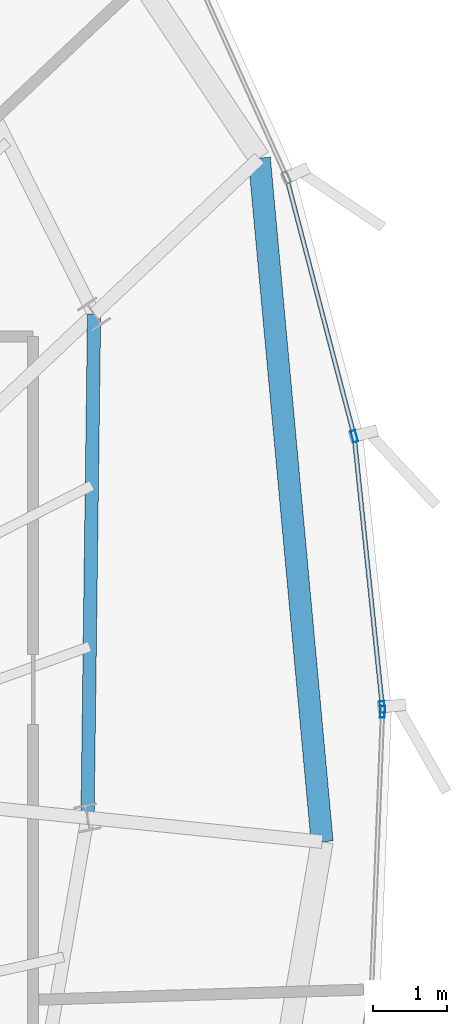
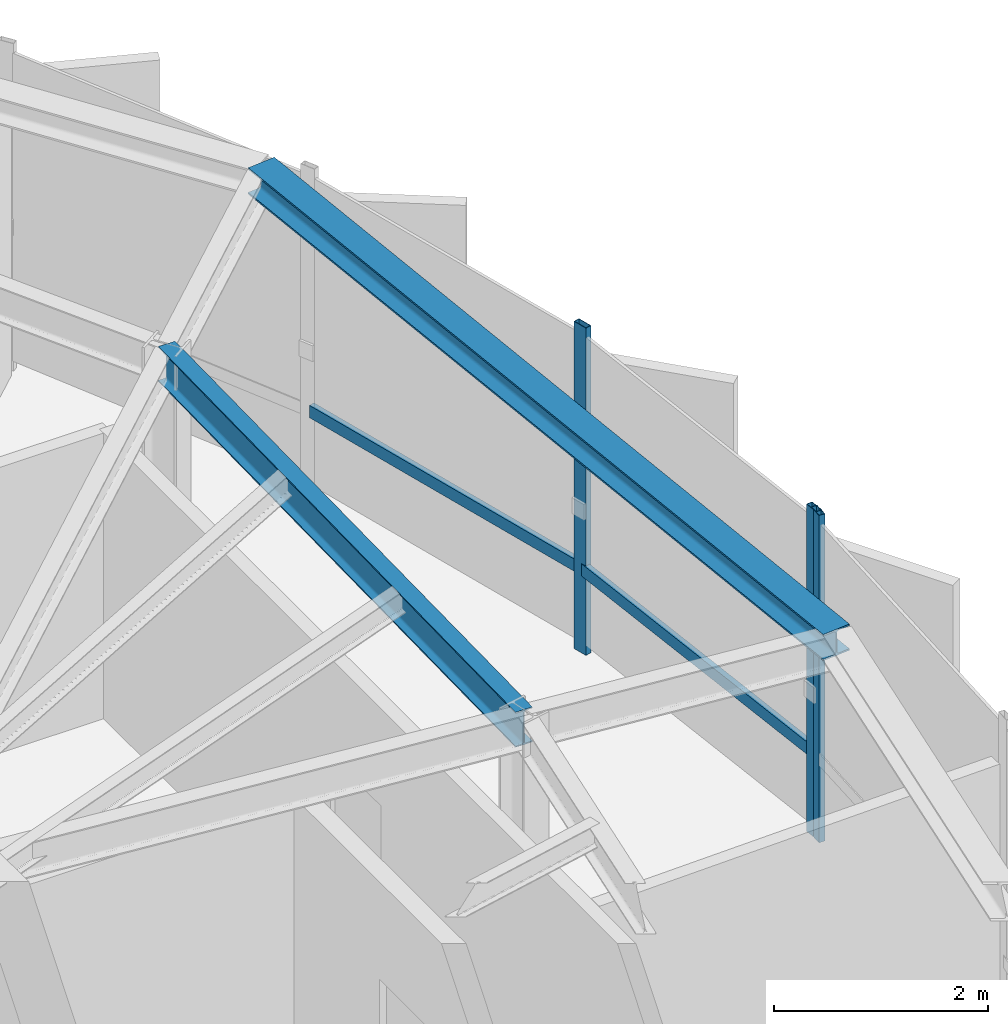
# One storey, part 13 of 25: 5 members, 2 beams, 2 elements without a shape of their own.
"""IFC4 building model written with IfcOpenShell, lengths in metres."""

import ifcopenshell
import ifcopenshell.guid

model = None  # the IFC model being written
_history = None  # IfcOwnerHistory: only IFC2X3 demands one
_inside = {}  # id of a spatial element -> (the spatial element, [elements in it])
_under = {}  # id of a project, library or spatial element -> (it, [spatial elements below it])
_declared = {}  # id of a project -> (the project, [libraries it declares])
_typed = {}  # id of a type object -> (the type object, [elements of that type])
_made_of = {}  # id of a material, layer set ... -> (it, [elements and type objects made of it])


def new_model(schema):
    """Start an empty IFC model of exactly this schema.

    Asked for "IFC4X3", IfcOpenShell would pick the latest addendum, in which some entities
    have other attributes; the version numbers below select the first issue.
    IFC2X3 requires an IfcOwnerHistory on every rooted entity: one is made here for all.
    """
    global model, _history
    if schema == "IFC4X3":
        model = ifcopenshell.file(schema_version=(4, 3, 0, 0))
    else:
        model = ifcopenshell.file(schema=schema)
    _inside.clear()
    _under.clear()
    _declared.clear()
    _typed.clear()
    _made_of.clear()
    _history = None
    if model.schema == "IFC2X3":
        org = make("IfcOrganization", Name="unknown")
        user = make(
            "IfcPersonAndOrganization",
            ThePerson=make("IfcPerson", FamilyName="unknown"),
            TheOrganization=org,
        )
        app = make(
            "IfcApplication",
            ApplicationDeveloper=org,
            Version="unknown",
            ApplicationFullName="unknown",
            ApplicationIdentifier="unknown",
        )
        _history = make(
            "IfcOwnerHistory",
            OwningUser=user,
            OwningApplication=app,
            ChangeAction="ADDED",
            CreationDate=0,
        )
    return model


def make(cls, **values):
    """One entity of the class cls with the attributes given. An attribute that is None is left unset."""
    return model.create_entity(
        cls, **{name: value for name, value in values.items() if value is not None}
    )


def rooted(cls, **values):
    """An entity with a GlobalId (a new one), such as an element, a storey or a relation."""
    return make(cls, GlobalId=ifcopenshell.guid.new(), OwnerHistory=_history, **values)


def si_unit(unit_type, name, prefix=None):
    """IfcSIUnit, for example si_unit("LENGTHUNIT", "METRE", prefix="MILLI")."""
    return make("IfcSIUnit", UnitType=unit_type, Prefix=prefix, Name=name)


def assignment(units):
    """IfcUnitAssignment: the units of a project."""
    return None if units is None else make("IfcUnitAssignment", Units=units)


def point(xyz):
    """IfcCartesianPoint."""
    return None if xyz is None else make("IfcCartesianPoint", Coordinates=xyz)


def direction(xyz):
    """IfcDirection."""
    return None if xyz is None else make("IfcDirection", DirectionRatios=xyz)


def frame(location, z_axis=None, x_axis=None):
    """IfcAxis2Placement3D, a coordinate frame: its origin and axes. An axis left out is left unset."""
    return make(
        "IfcAxis2Placement3D",
        Location=point(location),
        Axis=direction(z_axis),
        RefDirection=direction(x_axis),
    )


def frame_2d(location, x_axis=None):
    """IfcAxis2Placement2D, a coordinate frame in the plane: its origin and x axis."""
    return make(
        "IfcAxis2Placement2D", Location=point(location), RefDirection=direction(x_axis)
    )


def origin():
    """The frame at (0, 0, 0) with its axes left unset."""
    return frame((0.0, 0.0, 0.0))


def origin_2d():
    """The frame at (0, 0) in the plane with its x axis left unset."""
    return frame_2d((0.0, 0.0))


def place(relative_to, where):
    """IfcLocalPlacement: puts the frame where relative to a parent placement (None: the world)."""
    return make(
        "IfcLocalPlacement", PlacementRelTo=relative_to, RelativePlacement=where
    )


def context(
    kind, dimensions, precision=None, world=None, true_north=None, identifier=None
):
    """IfcGeometricRepresentationContext, for example the 3D "Model" context."""
    return make(
        "IfcGeometricRepresentationContext",
        ContextIdentifier=identifier,
        ContextType=kind,
        CoordinateSpaceDimension=dimensions,
        Precision=precision,
        WorldCoordinateSystem=world,
        TrueNorth=true_north,
    )


def subcontext(parent, identifier, kind, view, scale=None):
    """IfcGeometricRepresentationSubContext, for example "Body" below "Model"."""
    return make(
        "IfcGeometricRepresentationSubContext",
        ContextIdentifier=identifier,
        ContextType=kind,
        ParentContext=parent,
        TargetScale=scale,
        TargetView=view,
    )


def project(units=None, contexts=None):
    """IfcProject with its units and contexts."""
    return rooted(
        "IfcProject",
        Name="project",
        RepresentationContexts=contexts,
        UnitsInContext=assignment(units),
    )


def spatial(cls, under=None, at=None, **own):
    """A site, building, storey or space (cls), placed at a placement, below another one or the project."""
    s = rooted(cls, ObjectPlacement=at, **own)
    if under is not None:
        _under.setdefault(under.id(), (under, []))[1].append(s)
    return s


def profile(cls, at=None, kind="AREA", **sizes):
    """A parametric profile (cls). Its sizes go by their IFC names, for example OverallWidth=200.0."""
    return make(cls, ProfileType=kind, Position=at, **sizes)


def hollow_rectangle(**sizes):
    """IfcRectangleHollowProfileDef."""
    return profile("IfcRectangleHollowProfileDef", **sizes)


def i_section(**sizes):
    """IfcIShapeProfileDef."""
    return profile("IfcIShapeProfileDef", **sizes)


def extrude(swept, where, along, depth):
    """IfcExtrudedAreaSolid: the profile swept, set in the frame where, extruded along a direction by depth."""
    return make(
        "IfcExtrudedAreaSolid",
        SweptArea=swept,
        Position=where,
        ExtrudedDirection=direction(along),
        Depth=depth,
    )


def shape(context_of_items, identifier, shape_type, items):
    """IfcShapeRepresentation: the items that make up one representation, for example the "Body"."""
    return make(
        "IfcShapeRepresentation",
        ContextOfItems=context_of_items,
        RepresentationIdentifier=identifier,
        RepresentationType=shape_type,
        Items=items,
    )


def source(mapping_origin, context_of_items, identifier, shape_type, items):
    """IfcRepresentationMap: a shape defined once, which mapped items show again and again."""
    return make(
        "IfcRepresentationMap",
        MappingOrigin=mapping_origin,
        MappedRepresentation=shape(context_of_items, identifier, shape_type, items),
    )


def transform(
    local_origin,
    x_axis=None,
    y_axis=None,
    z_axis=None,
    scale=None,
    scale2=None,
    scale3=None,
    uniform=True,
):
    """IfcCartesianTransformationOperator3D, or its non-uniform kind. x_axis, y_axis, z_axis: its Axis1, 2, 3."""
    if uniform:
        return make(
            "IfcCartesianTransformationOperator3D",
            Axis1=direction(x_axis),
            Axis2=direction(y_axis),
            LocalOrigin=point(local_origin),
            Scale=scale,
            Axis3=direction(z_axis),
        )
    return make(
        "IfcCartesianTransformationOperator3DnonUniform",
        Axis1=direction(x_axis),
        Axis2=direction(y_axis),
        LocalOrigin=point(local_origin),
        Scale=scale,
        Axis3=direction(z_axis),
        Scale2=scale2,
        Scale3=scale3,
    )


def mapped(mapping_source, mapping_target):
    """IfcMappedItem: shows the shape of a source again, moved by a transform."""
    return make(
        "IfcMappedItem", MappingSource=mapping_source, MappingTarget=mapping_target
    )


def material(Name=None, Category=None):
    """IfcMaterial."""
    return make("IfcMaterial", Name=Name, Category=Category)


def layer(
    of_material, thickness, ventilated=None, Name=None, Category=None, Priority=None
):
    """IfcMaterialLayer: one layer of a wall or slab, of a material (None: an air gap)."""
    return make(
        "IfcMaterialLayer",
        Material=of_material,
        LayerThickness=thickness,
        IsVentilated=ventilated,
        Name=Name,
        Category=Category,
        Priority=Priority,
    )


def layer_set(layers, Name=None):
    """IfcMaterialLayerSet."""
    return make("IfcMaterialLayerSet", MaterialLayers=layers, LayerSetName=Name)


def material_profile(
    of_material, cross_section, Name=None, Category=None, Priority=None
):
    """IfcMaterialProfile: a cross section and its material."""
    return make(
        "IfcMaterialProfile",
        Name=Name,
        Material=of_material,
        Profile=cross_section,
        Priority=Priority,
        Category=Category,
    )


def profile_set(profiles, Name=None, composite=None):
    """IfcMaterialProfileSet."""
    return make(
        "IfcMaterialProfileSet",
        Name=Name,
        MaterialProfiles=profiles,
        CompositeProfile=composite,
    )


def made_of(thing, what):
    """Note that an element or type object is made of a material, layer set ...; save() writes the relation."""
    if what is not None:
        _made_of.setdefault(what.id(), (what, []))[1].append(thing)
    return thing


def type_object(cls, material=None, **own):
    """A type object (cls), such as IfcWallType, which elements share."""
    return made_of(rooted(cls, **own), material)


def element(
    cls,
    number,
    at=None,
    inside=None,
    cuts=None,
    type_object=None,
    material=None,
    context=None,
    identifier="Body",
    shape_type=None,
    held_by="IfcProductDefinitionShape",
    body=None,
    shapes=None,
    **own,
):
    """One element of the class cls, such as IfcWall. Its Tag is "e" and its number.

    at: its placement. inside: the storey or other place that contains it. cuts: it is an
    opening in that element (IfcRelVoidsElement). A single representation is given by context,
    identifier, shape_type and body (its items); several are given by shapes. held_by: the class
    of the entity that holds the representations. save() writes the other relations.
    """
    e = rooted(cls, Tag="e%d" % number, ObjectPlacement=at, **own)
    if body is not None:
        shapes = [shape(context, identifier, shape_type, body)]
    if shapes is not None:
        e.Representation = make(held_by, Representations=shapes)
    if inside is not None:
        _inside.setdefault(inside.id(), (inside, []))[1].append(e)
    if cuts is not None:
        rooted(
            "IfcRelVoidsElement", RelatingBuildingElement=cuts, RelatedOpeningElement=e
        )
    if type_object is not None:
        _typed.setdefault(type_object.id(), (type_object, []))[1].append(e)
    return made_of(e, material)


def aggregate(whole, parts):
    """IfcRelAggregates: a whole, such as a stair, and the parts it consists of."""
    return rooted("IfcRelAggregates", RelatingObject=whole, RelatedObjects=parts)


def save(model, path):
    """Write the relations noted so far, then the file.

    IfcRelAggregates (storeys below a building ...), IfcRelContainedInSpatialStructure (elements
    in a storey), IfcRelDefinesByType, IfcRelAssociatesMaterial and IfcRelDeclares: one each for
    every whole, place, type object, material and project.
    """
    for whole, parts in _under.values():
        aggregate(whole, parts)
    for where, things in _inside.values():
        rooted(
            "IfcRelContainedInSpatialStructure",
            RelatedElements=things,
            RelatingStructure=where,
        )
    for kind, things in _typed.values():
        rooted("IfcRelDefinesByType", RelatedObjects=things, RelatingType=kind)
    for what, things in _made_of.values():
        rooted("IfcRelAssociatesMaterial", RelatedObjects=things, RelatingMaterial=what)
    for by, libraries in _declared.values():
        rooted("IfcRelDeclares", RelatingContext=by, RelatedDefinitions=libraries)
    model.write(path)


model = new_model("IFC4")

# Units and contexts
model_context = context("Model", 3, precision=1e-05, world=origin(), true_north=direction((0.0, 1.0)))
body_context = subcontext(model_context, "Body", "Model", "MODEL_VIEW")
ifc_project = project(units=[si_unit("LENGTHUNIT", "METRE"), si_unit("AREAUNIT", "SQUARE_METRE"), si_unit("VOLUMEUNIT", "CUBIC_METRE"), si_unit("PLANEANGLEUNIT", "RADIAN"), si_unit("MASSUNIT", "GRAM", prefix="KILO"), si_unit("THERMODYNAMICTEMPERATUREUNIT", "KELVIN")], contexts=[model_context])

# Site, building, storey
site_placement = place(None, origin())
site = spatial("IfcSite", under=ifc_project, at=site_placement, CompositionType="ELEMENT")
building_placement = place(site_placement, origin())
building = spatial("IfcBuilding", under=site, at=building_placement, Name="Kethvar Cultural Tower", CompositionType="ELEMENT")
storey_placement = place(building_placement, frame((0.0, 0.0, 304.300048828125)))
storey = spatial("IfcBuildingStorey", under=building, at=storey_placement, Name="L81", CompositionType="ELEMENT", Elevation=304.300048828125)

# Beams
ifc_material_1 = material(Name="Steel S355J2", Category="steel")
ifc_material_profile_1 = material_profile(ifc_material_1, i_section(OverallWidth=0.179931640625, OverallDepth=0.39990234375, WebThickness=0.008544921875, FlangeThickness=0.013427734375, FilletRadius=0.02099609375, at=origin_2d()), Name="Steel S355J2 — IPE400")
ifc_profile_set_1 = profile_set([ifc_material_profile_1], Name="Steel S355J2 — IPE400")
beam_type_1 = type_object("IfcBeamType", Name="BM-IPE400", PredefinedType="BEAM", material=ifc_profile_set_1)
shared_shape_1 = source(origin(), body_context, "Body", "SweptSolid", [
    extrude(i_section(OverallWidth=0.179931640625, OverallDepth=0.39990234375, WebThickness=0.008544921875, FlangeThickness=0.013427734375, FilletRadius=0.02099609375, at=origin_2d()), origin(), (0.0, 0.0, 1.0), 6.834716796875),
])
beam_1_placement = place(storey_placement, frame((61.237060546875, 30.671630859375, 3.532958984375), z_axis=(0.012966437445, 0.999915932216, 0.0), x_axis=(-0.999915932216, 0.012966437445, 0.0)))
element("IfcBeam", 1, at=beam_1_placement, inside=storey, type_object=beam_type_1, Name="L81 Column Ring Tie Beam CR-01", PredefinedType="BEAM", context=body_context, shape_type="MappedRepresentation", body=[
    mapped(shared_shape_1, transform((0.0, 0.0, 0.0), scale=1.0)),
])
ifc_material_profile_2 = material_profile(ifc_material_1, i_section(OverallWidth=0.300048828125, OverallDepth=0.300048828125, WebThickness=0.010986328125, FlangeThickness=0.01904296875, FilletRadius=0.027099609375, at=origin_2d()), Name="Steel S355J2 — HEB300")
ifc_profile_set_2 = profile_set([ifc_material_profile_2], Name="Steel S355J2 — HEB300")
beam_type_2 = type_object("IfcBeamType", Name="BM-SP300", PredefinedType="SPANDREL", material=ifc_profile_set_2)
shared_shape_2 = source(origin(), body_context, "Body", "SweptSolid", [
    extrude(i_section(OverallWidth=0.300048828125, OverallDepth=0.300048828125, WebThickness=0.010986328125, FlangeThickness=0.01904296875, FilletRadius=0.027099609375, at=origin_2d()), origin(), (0.0, 0.0, 1.0), 9.316650390625),
])
beam_2_placement = place(storey_placement, frame((64.42041015625, 30.34521484375, 3.5830078125), z_axis=(-0.091480794749, 0.995806840804, 0.0), x_axis=(-0.995806840804, -0.091480794749, 0.0)))
element("IfcBeam", 2, at=beam_2_placement, inside=storey, type_object=beam_type_2, Name="L81 Perimeter Spandrel Beam SP-01", PredefinedType="SPANDREL", context=body_context, shape_type="MappedRepresentation", body=[
    mapped(shared_shape_2, transform((0.0, 0.0, 0.0), scale=1.0)),
])

# Curtain wall, member
ifc_material_2 = material(Name="Aluminium 6063-T6", Category="aluminium")
ifc_layer = layer(ifc_material_2, 0.179931640625, Name="Aluminium 6063-T6", Category="aluminium")
ifc_layer_set = layer_set([ifc_layer], Name="Aluminium 6063-T6 (180 mm)")
curtain_wall_type = type_object("IfcCurtainWallType", Name="CW-SYS-06-CROWN", PredefinedType="NOTDEFINED", material=ifc_layer_set)
curtain_wall_1_placement = place(storey_placement, origin())
curtain_wall_1 = element("IfcCurtainWall", 3, at=curtain_wall_1_placement, inside=storey, type_object=curtain_wall_type, Name="L81 Curtain Wall Run 05", PredefinedType="NOTDEFINED")
ifc_material_profile_3 = material_profile(ifc_material_2, hollow_rectangle(XDim=0.06494140625, YDim=0.159912109375, WallThickness=0.0048828125, at=origin_2d()), Name="Aluminium 6063-T6 — RHS160x65x5")
ifc_profile_set_3 = profile_set([ifc_material_profile_3], Name="Aluminium 6063-T6 — RHS160x65x5")
member_type_1 = type_object("IfcMemberType", Name="CW-SYS-06-CROWN-MUL", PredefinedType="MULLION", material=ifc_profile_set_3)
shared_shape_3 = source(origin(), body_context, "Body", "SweptSolid", [
    extrude(hollow_rectangle(XDim=0.06494140625, YDim=0.159912109375, WallThickness=0.0048828125, at=origin_2d()), origin(), (0.0, 0.0, 1.0), 3.73486328125),
])
member_1_placement = place(storey_placement, frame((65.240234375, 32.108642578125, 0.0), z_axis=(0.0, 0.0, 1.0), x_axis=(-0.999209730958, 0.039748126478, 0.0)))
member_1 = element("IfcMember", 4, at=member_1_placement, type_object=member_type_1, Name="CW-L81-R05 Mullion 7", PredefinedType="MULLION", context=body_context, shape_type="MappedRepresentation", body=[
    mapped(shared_shape_3, transform((0.0, 0.0, 0.0), scale=1.0)),
])
aggregate(curtain_wall_1, [member_1])

# Curtain wall, members
curtain_wall_2_placement = place(storey_placement, origin())
curtain_wall_2 = element("IfcCurtainWall", 5, at=curtain_wall_2_placement, inside=storey, type_object=curtain_wall_type, Name="L81 Curtain Wall Run 06", PredefinedType="NOTDEFINED")
member_2_placement = place(storey_placement, frame((65.23828125, 32.175537109375, 0.0), z_axis=(0.0, 0.0, 1.0), x_axis=(-0.994616352793, -0.103625820901, 0.0)))
member_2 = element("IfcMember", 6, at=member_2_placement, type_object=member_type_1, Name="CW-L81-R06 Mullion 1", PredefinedType="MULLION", context=body_context, shape_type="MappedRepresentation", body=[
    mapped(shared_shape_3, transform((0.0, 0.0, 0.0), scale=1.0)),
])
member_3_placement = place(storey_placement, frame((64.85693359375, 35.848388671875, 0.0), z_axis=(0.0, 0.0, 1.0), x_axis=(-0.967427002653, -0.253150142282, 0.0)))
member_3 = element("IfcMember", 7, at=member_3_placement, type_object=member_type_1, Name="CW-L81-R06 Mullion 2", PredefinedType="MULLION", context=body_context, shape_type="MappedRepresentation", body=[
    mapped(shared_shape_3, transform((0.0, 0.0, 0.0), scale=1.0)),
])
ifc_material_profile_4 = material_profile(ifc_material_2, hollow_rectangle(XDim=0.06005859375, YDim=0.139892578125, WallThickness=0.0048828125, at=origin_2d()), Name="Aluminium 6063-T6 — RHS140x60x5")
ifc_profile_set_4 = profile_set([ifc_material_profile_4], Name="Aluminium 6063-T6 — RHS140x60x5")
member_type_2 = type_object("IfcMemberType", Name="CW-SYS-06-CROWN-TRN", PredefinedType="USERDEFINED", material=ifc_profile_set_4)
shared_shape_4 = source(origin(), body_context, "Body", "SweptSolid", [
    extrude(hollow_rectangle(XDim=0.06005859375, YDim=0.139892578125, WallThickness=0.0048828125, at=origin_2d()), origin(), (0.0, 0.0, 1.0), 3.5546875),
])
member_4_placement = place(storey_placement, frame((64.84521484375, 35.893798828125, 0.949951171875), z_axis=(-0.253154330013, 0.967425906825, 0.0), x_axis=(-0.967425906825, -0.253154330013, 0.0)))
member_4 = element("IfcMember", 8, at=member_4_placement, type_object=member_type_2, Name="CW-L81-R06 Transom 2", ObjectType="TRANSOM", PredefinedType="USERDEFINED", context=body_context, shape_type="MappedRepresentation", body=[
    mapped(shared_shape_4, transform((0.0, 0.0, 0.0), scale=1.0)),
])
shared_shape_5 = source(origin(), body_context, "Body", "SweptSolid", [
    extrude(hollow_rectangle(XDim=0.06005859375, YDim=0.139892578125, WallThickness=0.0048828125, at=origin_2d()), origin(), (0.0, 0.0, 1.0), 3.659423828125),
])
member_5_placement = place(storey_placement, frame((65.23779296875, 32.18017578125, 0.949951171875), z_axis=(-0.10367758447, 0.994610958354, 0.0), x_axis=(-0.994610958354, -0.10367758447, 0.0)))
member_5 = element("IfcMember", 9, at=member_5_placement, type_object=member_type_2, Name="CW-L81-R06 Transom 1", ObjectType="TRANSOM", PredefinedType="USERDEFINED", context=body_context, shape_type="MappedRepresentation", body=[
    mapped(shared_shape_5, transform((0.0, 0.0, 0.0), scale=1.0)),
])
aggregate(curtain_wall_2, [member_2, member_3, member_5, member_4])

save(model, "model.ifc")
